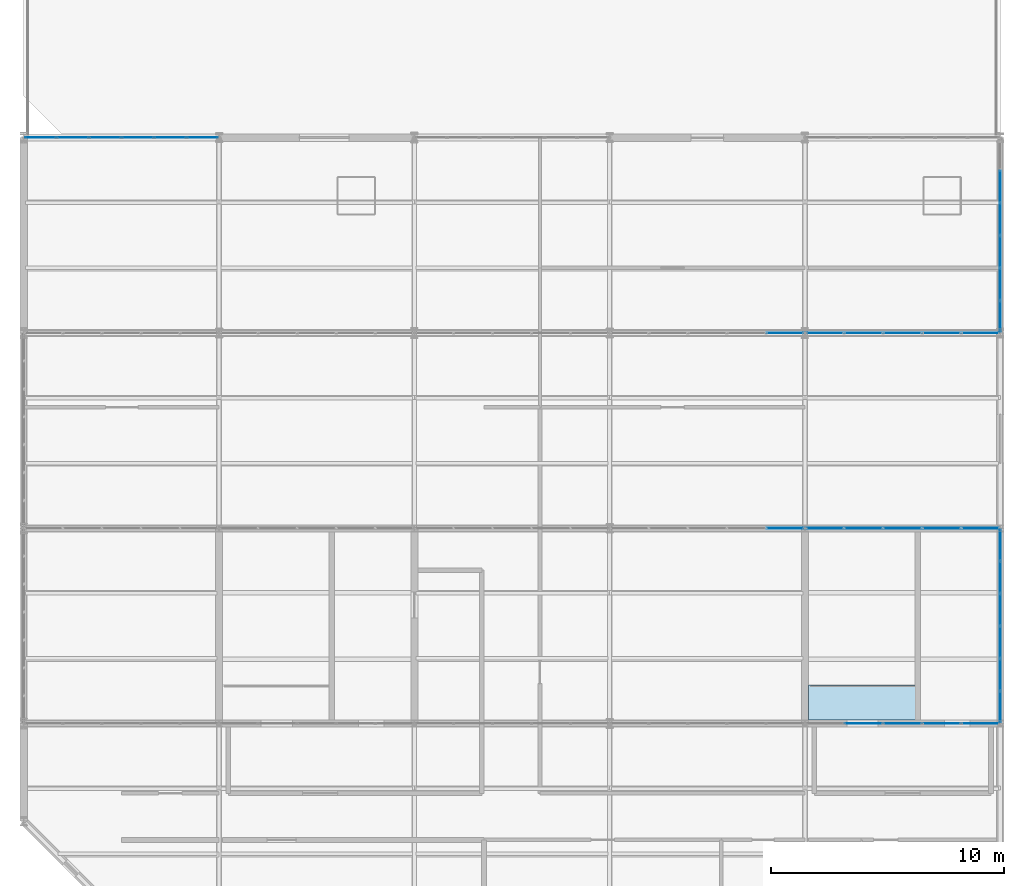
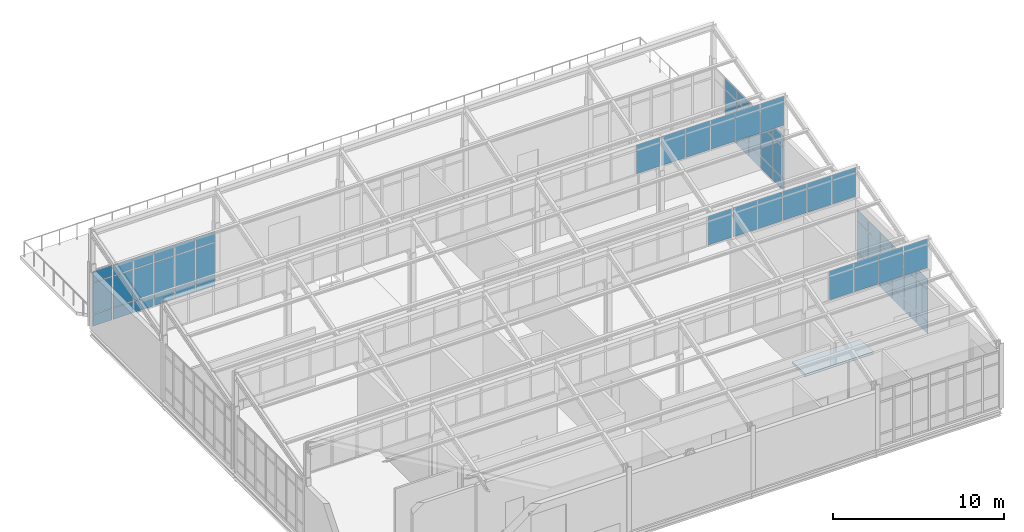
# One storey, part 48 of 53: 67 plates, 1 slab, 8 elements without a shape of their own.
"""IFC4 building model written with IfcOpenShell, lengths in metres."""

import ifcopenshell
import ifcopenshell.guid

model = None  # the IFC model being written
_history = None  # IfcOwnerHistory: only IFC2X3 demands one
_inside = {}  # id of a spatial element -> (the spatial element, [elements in it])
_under = {}  # id of a project, library or spatial element -> (it, [spatial elements below it])
_declared = {}  # id of a project -> (the project, [libraries it declares])
_typed = {}  # id of a type object -> (the type object, [elements of that type])
_made_of = {}  # id of a material, layer set ... -> (it, [elements and type objects made of it])


def new_model(schema):
    """Start an empty IFC model of exactly this schema.

    Asked for "IFC4X3", IfcOpenShell would pick the latest addendum, in which some entities
    have other attributes; the version numbers below select the first issue.
    IFC2X3 requires an IfcOwnerHistory on every rooted entity: one is made here for all.
    """
    global model, _history
    if schema == "IFC4X3":
        model = ifcopenshell.file(schema_version=(4, 3, 0, 0))
    else:
        model = ifcopenshell.file(schema=schema)
    _inside.clear()
    _under.clear()
    _declared.clear()
    _typed.clear()
    _made_of.clear()
    _history = None
    if model.schema == "IFC2X3":
        org = make("IfcOrganization", Name="unknown")
        user = make(
            "IfcPersonAndOrganization",
            ThePerson=make("IfcPerson", FamilyName="unknown"),
            TheOrganization=org,
        )
        app = make(
            "IfcApplication",
            ApplicationDeveloper=org,
            Version="unknown",
            ApplicationFullName="unknown",
            ApplicationIdentifier="unknown",
        )
        _history = make(
            "IfcOwnerHistory",
            OwningUser=user,
            OwningApplication=app,
            ChangeAction="ADDED",
            CreationDate=0,
        )
    return model


def make(cls, **values):
    """One entity of the class cls with the attributes given. An attribute that is None is left unset."""
    return model.create_entity(
        cls, **{name: value for name, value in values.items() if value is not None}
    )


def rooted(cls, **values):
    """An entity with a GlobalId (a new one), such as an element, a storey or a relation."""
    return make(cls, GlobalId=ifcopenshell.guid.new(), OwnerHistory=_history, **values)


def si_unit(unit_type, name, prefix=None):
    """IfcSIUnit, for example si_unit("LENGTHUNIT", "METRE", prefix="MILLI")."""
    return make("IfcSIUnit", UnitType=unit_type, Prefix=prefix, Name=name)


def assignment(units):
    """IfcUnitAssignment: the units of a project."""
    return None if units is None else make("IfcUnitAssignment", Units=units)


def point(xyz):
    """IfcCartesianPoint."""
    return None if xyz is None else make("IfcCartesianPoint", Coordinates=xyz)


def direction(xyz):
    """IfcDirection."""
    return None if xyz is None else make("IfcDirection", DirectionRatios=xyz)


def frame(location, z_axis=None, x_axis=None):
    """IfcAxis2Placement3D, a coordinate frame: its origin and axes. An axis left out is left unset."""
    return make(
        "IfcAxis2Placement3D",
        Location=point(location),
        Axis=direction(z_axis),
        RefDirection=direction(x_axis),
    )


def frame_2d(location, x_axis=None):
    """IfcAxis2Placement2D, a coordinate frame in the plane: its origin and x axis."""
    return make(
        "IfcAxis2Placement2D", Location=point(location), RefDirection=direction(x_axis)
    )


def origin():
    """The frame at (0, 0, 0) with its axes left unset."""
    return frame((0.0, 0.0, 0.0))


def origin_2d():
    """The frame at (0, 0) in the plane with its x axis left unset."""
    return frame_2d((0.0, 0.0))


def place(relative_to, where):
    """IfcLocalPlacement: puts the frame where relative to a parent placement (None: the world)."""
    return make(
        "IfcLocalPlacement", PlacementRelTo=relative_to, RelativePlacement=where
    )


def context(
    kind, dimensions, precision=None, world=None, true_north=None, identifier=None
):
    """IfcGeometricRepresentationContext, for example the 3D "Model" context."""
    return make(
        "IfcGeometricRepresentationContext",
        ContextIdentifier=identifier,
        ContextType=kind,
        CoordinateSpaceDimension=dimensions,
        Precision=precision,
        WorldCoordinateSystem=world,
        TrueNorth=true_north,
    )


def subcontext(parent, identifier, kind, view, scale=None):
    """IfcGeometricRepresentationSubContext, for example "Body" below "Model"."""
    return make(
        "IfcGeometricRepresentationSubContext",
        ContextIdentifier=identifier,
        ContextType=kind,
        ParentContext=parent,
        TargetScale=scale,
        TargetView=view,
    )


def project(units=None, contexts=None):
    """IfcProject with its units and contexts."""
    return rooted(
        "IfcProject",
        Name="project",
        RepresentationContexts=contexts,
        UnitsInContext=assignment(units),
    )


def spatial(cls, under=None, at=None, **own):
    """A site, building, storey or space (cls), placed at a placement, below another one or the project."""
    s = rooted(cls, ObjectPlacement=at, **own)
    if under is not None:
        _under.setdefault(under.id(), (under, []))[1].append(s)
    return s


def polyline(points):
    """IfcPolyline through the points."""
    return make("IfcPolyline", Points=[point(p) for p in points])


def profile(cls, at=None, kind="AREA", **sizes):
    """A parametric profile (cls). Its sizes go by their IFC names, for example OverallWidth=200.0."""
    return make(cls, ProfileType=kind, Position=at, **sizes)


def rectangle(**sizes):
    """IfcRectangleProfileDef."""
    return profile("IfcRectangleProfileDef", **sizes)


def outline(outer, holes=None, kind="AREA"):
    """IfcArbitraryClosedProfileDef: a profile drawn as a closed curve; with holes, ...WithVoids."""
    if holes is None:
        return make("IfcArbitraryClosedProfileDef", ProfileType=kind, OuterCurve=outer)
    return make(
        "IfcArbitraryProfileDefWithVoids",
        ProfileType=kind,
        OuterCurve=outer,
        InnerCurves=holes,
    )


def extrude(swept, where, along, depth):
    """IfcExtrudedAreaSolid: the profile swept, set in the frame where, extruded along a direction by depth."""
    return make(
        "IfcExtrudedAreaSolid",
        SweptArea=swept,
        Position=where,
        ExtrudedDirection=direction(along),
        Depth=depth,
    )


def shape(context_of_items, identifier, shape_type, items):
    """IfcShapeRepresentation: the items that make up one representation, for example the "Body"."""
    return make(
        "IfcShapeRepresentation",
        ContextOfItems=context_of_items,
        RepresentationIdentifier=identifier,
        RepresentationType=shape_type,
        Items=items,
    )


def material(Name=None, Category=None):
    """IfcMaterial."""
    return make("IfcMaterial", Name=Name, Category=Category)


def layer(
    of_material, thickness, ventilated=None, Name=None, Category=None, Priority=None
):
    """IfcMaterialLayer: one layer of a wall or slab, of a material (None: an air gap)."""
    return make(
        "IfcMaterialLayer",
        Material=of_material,
        LayerThickness=thickness,
        IsVentilated=ventilated,
        Name=Name,
        Category=Category,
        Priority=Priority,
    )


def layer_set(layers, Name=None):
    """IfcMaterialLayerSet."""
    return make("IfcMaterialLayerSet", MaterialLayers=layers, LayerSetName=Name)


def made_of(thing, what):
    """Note that an element or type object is made of a material, layer set ...; save() writes the relation."""
    if what is not None:
        _made_of.setdefault(what.id(), (what, []))[1].append(thing)
    return thing


def type_object(cls, material=None, **own):
    """A type object (cls), such as IfcWallType, which elements share."""
    return made_of(rooted(cls, **own), material)


def element(
    cls,
    number,
    at=None,
    inside=None,
    cuts=None,
    type_object=None,
    material=None,
    context=None,
    identifier="Body",
    shape_type=None,
    held_by="IfcProductDefinitionShape",
    body=None,
    shapes=None,
    **own,
):
    """One element of the class cls, such as IfcWall. Its Tag is "e" and its number.

    at: its placement. inside: the storey or other place that contains it. cuts: it is an
    opening in that element (IfcRelVoidsElement). A single representation is given by context,
    identifier, shape_type and body (its items); several are given by shapes. held_by: the class
    of the entity that holds the representations. save() writes the other relations.
    """
    e = rooted(cls, Tag="e%d" % number, ObjectPlacement=at, **own)
    if body is not None:
        shapes = [shape(context, identifier, shape_type, body)]
    if shapes is not None:
        e.Representation = make(held_by, Representations=shapes)
    if inside is not None:
        _inside.setdefault(inside.id(), (inside, []))[1].append(e)
    if cuts is not None:
        rooted(
            "IfcRelVoidsElement", RelatingBuildingElement=cuts, RelatedOpeningElement=e
        )
    if type_object is not None:
        _typed.setdefault(type_object.id(), (type_object, []))[1].append(e)
    return made_of(e, material)


def aggregate(whole, parts):
    """IfcRelAggregates: a whole, such as a stair, and the parts it consists of."""
    return rooted("IfcRelAggregates", RelatingObject=whole, RelatedObjects=parts)


def save(model, path):
    """Write the relations noted so far, then the file.

    IfcRelAggregates (storeys below a building ...), IfcRelContainedInSpatialStructure (elements
    in a storey), IfcRelDefinesByType, IfcRelAssociatesMaterial and IfcRelDeclares: one each for
    every whole, place, type object, material and project.
    """
    for whole, parts in _under.values():
        aggregate(whole, parts)
    for where, things in _inside.values():
        rooted(
            "IfcRelContainedInSpatialStructure",
            RelatedElements=things,
            RelatingStructure=where,
        )
    for kind, things in _typed.values():
        rooted("IfcRelDefinesByType", RelatedObjects=things, RelatingType=kind)
    for what, things in _made_of.values():
        rooted("IfcRelAssociatesMaterial", RelatedObjects=things, RelatingMaterial=what)
    for by, libraries in _declared.values():
        rooted("IfcRelDeclares", RelatingContext=by, RelatedDefinitions=libraries)
    model.write(path)


model = new_model("IFC4")

# Units and contexts
model_context = context("Model", 3, precision=1e-05, world=origin(), true_north=direction((0.0, 1.0)))
body_context = subcontext(model_context, "Body", "Model", "MODEL_VIEW")
ifc_project = project(units=[si_unit("LENGTHUNIT", "METRE"), si_unit("AREAUNIT", "SQUARE_METRE"), si_unit("VOLUMEUNIT", "CUBIC_METRE"), si_unit("PLANEANGLEUNIT", "RADIAN"), si_unit("MASSUNIT", "GRAM", prefix="KILO")], contexts=[model_context])

# Site, building, storey
site_placement = place(None, origin())
site = spatial("IfcSite", under=ifc_project, at=site_placement, CompositionType="ELEMENT")
building_placement = place(site_placement, origin())
building = spatial("IfcBuilding", under=site, at=building_placement, Name="Qalvenar Corner Mobility Hub", CompositionType="ELEMENT")
storey_placement = place(building_placement, frame((0.0, 0.0, 26.39990234375)))
storey = spatial("IfcBuildingStorey", under=building, at=storey_placement, Name="L06", CompositionType="ELEMENT", Elevation=26.39990234375)

# Curtain wall, plates
ifc_material_1 = material(Name="Anodised Aluminium and Low-E Glazing", Category="aluminium")
ifc_layer_1 = layer(ifc_material_1, 0.14990234375)
ifc_layer_set_1 = layer_set([ifc_layer_1], Name="Anodised Aluminium and Low-E Glazing")
curtain_wall_type_1 = type_object("IfcCurtainWallType", Name="CW-CIV-84X40", PredefinedType="NOTDEFINED", material=ifc_layer_set_1)
curtain_wall_1_placement = place(storey_placement, origin())
curtain_wall_1 = element("IfcCurtainWall", 1, at=curtain_wall_1_placement, inside=storey, type_object=curtain_wall_type_1, Name="Glazed Curtain Wall CW-V3-L06-N0", PredefinedType="NOTDEFINED")
ifc_material_2 = material(Name="Solar-Control Low-E Double Glazing", Category="glass")
ifc_layer_2 = layer(ifc_material_2, 0.028076171875)
ifc_layer_set_2 = layer_set([ifc_layer_2], Name="Solar-Control Low-E Double Glazing")
plate_type = type_object("IfcPlateType", Name="PLT-CWP-GLZ1", PredefinedType="CURTAIN_PANEL", material=ifc_layer_set_2)
plate_1_placement = place(storey_placement, frame((7.68505859375, 33.60009765625, 0.05517578125), z_axis=(0.0, 0.0, 1.0), x_axis=(-1.0, 0.0, 0.0)))
plate_1 = element("IfcPlate", 2, at=plate_1_placement, type_object=plate_type, Name="CW-05 panel 1.1", PredefinedType="CURTAIN_PANEL", context=body_context, shape_type="SweptSolid", body=[
    extrude(rectangle(XDim=1.31005859375, YDim=0.028076171875, at=origin_2d()), origin(), (0.0, 0.0, 1.0), 0.8173828125),
])
plate_2_placement = place(storey_placement, frame((7.68505859375, 33.60009765625, 0.927490234375), z_axis=(0.0, 0.0, 1.0), x_axis=(-1.0, 0.0, 0.0)))
plate_2 = element("IfcPlate", 3, at=plate_2_placement, type_object=plate_type, Name="CW-05 panel 1.2", PredefinedType="CURTAIN_PANEL", context=body_context, shape_type="SweptSolid", body=[
    extrude(rectangle(XDim=1.31005859375, YDim=0.028076171875, at=origin_2d()), origin(), (0.0, 0.0, 1.0), 2.205078125),
])
plate_3_placement = place(storey_placement, frame((7.68505859375, 33.60009765625, 3.1875), z_axis=(0.0, 0.0, 1.0), x_axis=(-1.0, 0.0, 0.0)))
plate_3 = element("IfcPlate", 4, at=plate_3_placement, type_object=plate_type, Name="CW-05 panel 1.3", PredefinedType="CURTAIN_PANEL", context=body_context, shape_type="SweptSolid", body=[
    extrude(rectangle(XDim=1.31005859375, YDim=0.028076171875, at=origin_2d()), origin(), (0.0, 0.0, 1.0), 0.767578125),
])
plate_4_placement = place(storey_placement, frame((6.300048828125, 33.60009765625, 0.05517578125), z_axis=(0.0, 0.0, 1.0), x_axis=(-1.0, 0.0, 0.0)))
plate_4 = element("IfcPlate", 5, at=plate_4_placement, type_object=plate_type, Name="CW-05 panel 2.1", PredefinedType="CURTAIN_PANEL", context=body_context, shape_type="SweptSolid", body=[
    extrude(rectangle(XDim=1.340087890625, YDim=0.028076171875, at=origin_2d()), origin(), (0.0, 0.0, 1.0), 0.8173828125),
])
plate_5_placement = place(storey_placement, frame((6.300048828125, 33.60009765625, 0.927490234375), z_axis=(0.0, 0.0, 1.0), x_axis=(-1.0, 0.0, 0.0)))
plate_5 = element("IfcPlate", 6, at=plate_5_placement, type_object=plate_type, Name="CW-05 panel 2.2", PredefinedType="CURTAIN_PANEL", context=body_context, shape_type="SweptSolid", body=[
    extrude(rectangle(XDim=1.340087890625, YDim=0.028076171875, at=origin_2d()), origin(), (0.0, 0.0, 1.0), 2.205078125),
])
plate_6_placement = place(storey_placement, frame((6.300048828125, 33.60009765625, 3.1875), z_axis=(0.0, 0.0, 1.0), x_axis=(-1.0, 0.0, 0.0)))
plate_6 = element("IfcPlate", 7, at=plate_6_placement, type_object=plate_type, Name="CW-05 panel 2.3", PredefinedType="CURTAIN_PANEL", context=body_context, shape_type="SweptSolid", body=[
    extrude(rectangle(XDim=1.340087890625, YDim=0.028076171875, at=origin_2d()), origin(), (0.0, 0.0, 1.0), 0.767578125),
])
plate_7_placement = place(storey_placement, frame((4.89990234375, 33.60009765625, 0.05517578125), z_axis=(0.0, 0.0, 1.0), x_axis=(-1.0, 0.0, 0.0)))
plate_7 = element("IfcPlate", 8, at=plate_7_placement, type_object=plate_type, Name="CW-05 panel 3.1", PredefinedType="CURTAIN_PANEL", context=body_context, shape_type="SweptSolid", body=[
    extrude(rectangle(XDim=1.340087890625, YDim=0.028076171875, at=origin_2d()), origin(), (0.0, 0.0, 1.0), 0.8173828125),
])
plate_8_placement = place(storey_placement, frame((4.89990234375, 33.60009765625, 0.927490234375), z_axis=(0.0, 0.0, 1.0), x_axis=(-1.0, 0.0, 0.0)))
plate_8 = element("IfcPlate", 9, at=plate_8_placement, type_object=plate_type, Name="CW-05 panel 3.2", PredefinedType="CURTAIN_PANEL", context=body_context, shape_type="SweptSolid", body=[
    extrude(rectangle(XDim=1.340087890625, YDim=0.028076171875, at=origin_2d()), origin(), (0.0, 0.0, 1.0), 2.205078125),
])
plate_9_placement = place(storey_placement, frame((4.89990234375, 33.60009765625, 3.1875), z_axis=(0.0, 0.0, 1.0), x_axis=(-1.0, 0.0, 0.0)))
plate_9 = element("IfcPlate", 10, at=plate_9_placement, type_object=plate_type, Name="CW-05 panel 3.3", PredefinedType="CURTAIN_PANEL", context=body_context, shape_type="SweptSolid", body=[
    extrude(rectangle(XDim=1.340087890625, YDim=0.028076171875, at=origin_2d()), origin(), (0.0, 0.0, 1.0), 0.767578125),
])
plate_10_placement = place(storey_placement, frame((3.5, 33.60009765625, 0.05517578125), z_axis=(0.0, 0.0, 1.0), x_axis=(-1.0, 0.0, 0.0)))
plate_10 = element("IfcPlate", 11, at=plate_10_placement, type_object=plate_type, Name="CW-05 panel 4.1", PredefinedType="CURTAIN_PANEL", context=body_context, shape_type="SweptSolid", body=[
    extrude(rectangle(XDim=1.340087890625, YDim=0.028076171875, at=origin_2d()), origin(), (0.0, 0.0, 1.0), 0.8173828125),
])
plate_11_placement = place(storey_placement, frame((3.5, 33.60009765625, 0.927490234375), z_axis=(0.0, 0.0, 1.0), x_axis=(-1.0, 0.0, 0.0)))
plate_11 = element("IfcPlate", 12, at=plate_11_placement, type_object=plate_type, Name="CW-05 panel 4.2", PredefinedType="CURTAIN_PANEL", context=body_context, shape_type="SweptSolid", body=[
    extrude(rectangle(XDim=1.340087890625, YDim=0.028076171875, at=origin_2d()), origin(), (0.0, 0.0, 1.0), 2.205078125),
])
plate_12_placement = place(storey_placement, frame((3.5, 33.60009765625, 3.1875), z_axis=(0.0, 0.0, 1.0), x_axis=(-1.0, 0.0, 0.0)))
plate_12 = element("IfcPlate", 13, at=plate_12_placement, type_object=plate_type, Name="CW-05 panel 4.3", PredefinedType="CURTAIN_PANEL", context=body_context, shape_type="SweptSolid", body=[
    extrude(rectangle(XDim=1.340087890625, YDim=0.028076171875, at=origin_2d()), origin(), (0.0, 0.0, 1.0), 0.767578125),
])
plate_13_placement = place(storey_placement, frame((2.10009765625, 33.60009765625, 0.05517578125), z_axis=(0.0, 0.0, 1.0), x_axis=(-1.0, 0.0, 0.0)))
plate_13 = element("IfcPlate", 14, at=plate_13_placement, type_object=plate_type, Name="CW-05 panel 5.1", PredefinedType="CURTAIN_PANEL", context=body_context, shape_type="SweptSolid", body=[
    extrude(rectangle(XDim=1.340087890625, YDim=0.028076171875, at=origin_2d()), origin(), (0.0, 0.0, 1.0), 0.8173828125),
])
plate_14_placement = place(storey_placement, frame((2.10009765625, 33.60009765625, 0.927490234375), z_axis=(0.0, 0.0, 1.0), x_axis=(-1.0, 0.0, 0.0)))
plate_14 = element("IfcPlate", 15, at=plate_14_placement, type_object=plate_type, Name="CW-05 panel 5.2", PredefinedType="CURTAIN_PANEL", context=body_context, shape_type="SweptSolid", body=[
    extrude(rectangle(XDim=1.340087890625, YDim=0.028076171875, at=origin_2d()), origin(), (0.0, 0.0, 1.0), 2.205078125),
])
plate_15_placement = place(storey_placement, frame((2.10009765625, 33.60009765625, 3.1875), z_axis=(0.0, 0.0, 1.0), x_axis=(-1.0, 0.0, 0.0)))
plate_15 = element("IfcPlate", 16, at=plate_15_placement, type_object=plate_type, Name="CW-05 panel 5.3", PredefinedType="CURTAIN_PANEL", context=body_context, shape_type="SweptSolid", body=[
    extrude(rectangle(XDim=1.340087890625, YDim=0.028076171875, at=origin_2d()), origin(), (0.0, 0.0, 1.0), 0.767578125),
])
plate_16_placement = place(storey_placement, frame((0.715087890625, 33.60009765625, 0.05517578125), z_axis=(0.0, 0.0, 1.0), x_axis=(-1.0, 0.0, 0.0)))
plate_16 = element("IfcPlate", 17, at=plate_16_placement, type_object=plate_type, Name="CW-05 panel 6.1", PredefinedType="CURTAIN_PANEL", context=body_context, shape_type="SweptSolid", body=[
    extrude(rectangle(XDim=1.31005859375, YDim=0.028076171875, at=origin_2d()), origin(), (0.0, 0.0, 1.0), 0.8173828125),
])
plate_17_placement = place(storey_placement, frame((0.715087890625, 33.60009765625, 0.927490234375), z_axis=(0.0, 0.0, 1.0), x_axis=(-1.0, 0.0, 0.0)))
plate_17 = element("IfcPlate", 18, at=plate_17_placement, type_object=plate_type, Name="CW-05 panel 6.2", PredefinedType="CURTAIN_PANEL", context=body_context, shape_type="SweptSolid", body=[
    extrude(rectangle(XDim=1.31005859375, YDim=0.028076171875, at=origin_2d()), origin(), (0.0, 0.0, 1.0), 2.205078125),
])
plate_18_placement = place(storey_placement, frame((0.715087890625, 33.60009765625, 3.1875), z_axis=(0.0, 0.0, 1.0), x_axis=(-1.0, 0.0, 0.0)))
plate_18 = element("IfcPlate", 19, at=plate_18_placement, type_object=plate_type, Name="CW-05 panel 6.3", PredefinedType="CURTAIN_PANEL", context=body_context, shape_type="SweptSolid", body=[
    extrude(rectangle(XDim=1.31005859375, YDim=0.028076171875, at=origin_2d()), origin(), (0.0, 0.0, 1.0), 0.767578125),
])
aggregate(curtain_wall_1, [plate_1, plate_2, plate_3, plate_4, plate_5, plate_6, plate_7, plate_8, plate_9, plate_10, plate_11, plate_12, plate_13, plate_14, plate_15, plate_16, plate_17, plate_18])

ifc_layer_3 = layer(ifc_material_1, 0.14990234375)
ifc_layer_set_3 = layer_set([ifc_layer_3], Name="Anodised Aluminium and Low-E Glazing")
curtain_wall_type_2 = type_object("IfcCurtainWallType", Name="CW-SPT-84X44", PredefinedType="NOTDEFINED", material=ifc_layer_set_3)
curtain_wall_2_placement = place(storey_placement, origin())
curtain_wall_2 = element("IfcCurtainWall", 20, at=curtain_wall_2_placement, inside=storey, type_object=curtain_wall_type_2, Name="Glazed Curtain Wall CW-V3-L06-E1", PredefinedType="NOTDEFINED")
plate_19_placement = place(storey_placement, frame((42.0, 9.114990234375, 0.05517578125), z_axis=(0.0, 0.0, 1.0), x_axis=(0.0, 1.0, 0.0)))
plate_19 = element("IfcPlate", 21, at=plate_19_placement, type_object=plate_type, Name="CW-06 panel 1.1", PredefinedType="CURTAIN_PANEL", context=body_context, shape_type="SweptSolid", body=[
    extrude(rectangle(XDim=1.31005859375, YDim=0.028076171875, at=origin_2d()), origin(), (0.0, 0.0, 1.0), 0.8173828125),
])
plate_20_placement = place(storey_placement, frame((42.0, 9.114990234375, 0.927490234375), z_axis=(0.0, 0.0, 1.0), x_axis=(0.0, 1.0, 0.0)))
plate_20 = element("IfcPlate", 22, at=plate_20_placement, type_object=plate_type, Name="CW-06 panel 1.2", PredefinedType="CURTAIN_PANEL", context=body_context, shape_type="SweptSolid", body=[
    extrude(rectangle(XDim=1.31005859375, YDim=0.028076171875, at=origin_2d()), origin(), (0.0, 0.0, 1.0), 2.205078125),
])
plate_21_placement = place(storey_placement, frame((42.0, 9.114990234375, 3.1875), z_axis=(0.0, 0.0, 1.0), x_axis=(0.0, 1.0, 0.0)))
plate_21 = element("IfcPlate", 23, at=plate_21_placement, type_object=plate_type, Name="CW-06 panel 1.3", PredefinedType="CURTAIN_PANEL", context=body_context, shape_type="SweptSolid", body=[
    extrude(rectangle(XDim=1.31005859375, YDim=0.028076171875, at=origin_2d()), origin(), (0.0, 0.0, 1.0), 0.767578125),
])
plate_22_placement = place(storey_placement, frame((42.0, 10.5, 0.05517578125), z_axis=(0.0, 0.0, 1.0), x_axis=(0.0, 1.0, 0.0)))
plate_22 = element("IfcPlate", 24, at=plate_22_placement, type_object=plate_type, Name="CW-06 panel 2.1", PredefinedType="CURTAIN_PANEL", context=body_context, shape_type="SweptSolid", body=[
    extrude(rectangle(XDim=1.340087890625, YDim=0.028076171875, at=origin_2d()), origin(), (0.0, 0.0, 1.0), 0.8173828125),
])
plate_23_placement = place(storey_placement, frame((42.0, 10.5, 0.927490234375), z_axis=(0.0, 0.0, 1.0), x_axis=(0.0, 1.0, 0.0)))
plate_23 = element("IfcPlate", 25, at=plate_23_placement, type_object=plate_type, Name="CW-06 panel 2.2", PredefinedType="CURTAIN_PANEL", context=body_context, shape_type="SweptSolid", body=[
    extrude(rectangle(XDim=1.340087890625, YDim=0.028076171875, at=origin_2d()), origin(), (0.0, 0.0, 1.0), 2.205078125),
])
plate_24_placement = place(storey_placement, frame((42.0, 10.5, 3.1875), z_axis=(0.0, 0.0, 1.0), x_axis=(0.0, 1.0, 0.0)))
plate_24 = element("IfcPlate", 26, at=plate_24_placement, type_object=plate_type, Name="CW-06 panel 2.3", PredefinedType="CURTAIN_PANEL", context=body_context, shape_type="SweptSolid", body=[
    extrude(rectangle(XDim=1.340087890625, YDim=0.028076171875, at=origin_2d()), origin(), (0.0, 0.0, 1.0), 0.767578125),
])
plate_25_placement = place(storey_placement, frame((42.0, 11.89990234375, 0.05517578125), z_axis=(0.0, 0.0, 1.0), x_axis=(0.0, 1.0, 0.0)))
plate_25 = element("IfcPlate", 27, at=plate_25_placement, type_object=plate_type, Name="CW-06 panel 3.1", PredefinedType="CURTAIN_PANEL", context=body_context, shape_type="SweptSolid", body=[
    extrude(rectangle(XDim=1.340087890625, YDim=0.028076171875, at=origin_2d()), origin(), (0.0, 0.0, 1.0), 0.8173828125),
])
plate_26_placement = place(storey_placement, frame((42.0, 11.89990234375, 0.927490234375), z_axis=(0.0, 0.0, 1.0), x_axis=(0.0, 1.0, 0.0)))
plate_26 = element("IfcPlate", 28, at=plate_26_placement, type_object=plate_type, Name="CW-06 panel 3.2", PredefinedType="CURTAIN_PANEL", context=body_context, shape_type="SweptSolid", body=[
    extrude(rectangle(XDim=1.340087890625, YDim=0.028076171875, at=origin_2d()), origin(), (0.0, 0.0, 1.0), 2.205078125),
])
plate_27_placement = place(storey_placement, frame((42.0, 11.89990234375, 3.1875), z_axis=(0.0, 0.0, 1.0), x_axis=(0.0, 1.0, 0.0)))
plate_27 = element("IfcPlate", 29, at=plate_27_placement, type_object=plate_type, Name="CW-06 panel 3.3", PredefinedType="CURTAIN_PANEL", context=body_context, shape_type="SweptSolid", body=[
    extrude(rectangle(XDim=1.340087890625, YDim=0.028076171875, at=origin_2d()), origin(), (0.0, 0.0, 1.0), 0.767578125),
])
plate_28_placement = place(storey_placement, frame((42.0, 13.300048828125, 0.05517578125), z_axis=(0.0, 0.0, 1.0), x_axis=(0.0, 1.0, 0.0)))
plate_28 = element("IfcPlate", 30, at=plate_28_placement, type_object=plate_type, Name="CW-06 panel 4.1", PredefinedType="CURTAIN_PANEL", context=body_context, shape_type="SweptSolid", body=[
    extrude(rectangle(XDim=1.340087890625, YDim=0.028076171875, at=origin_2d()), origin(), (0.0, 0.0, 1.0), 0.8173828125),
])
plate_29_placement = place(storey_placement, frame((42.0, 13.300048828125, 0.927490234375), z_axis=(0.0, 0.0, 1.0), x_axis=(0.0, 1.0, 0.0)))
plate_29 = element("IfcPlate", 31, at=plate_29_placement, type_object=plate_type, Name="CW-06 panel 4.2", PredefinedType="CURTAIN_PANEL", context=body_context, shape_type="SweptSolid", body=[
    extrude(rectangle(XDim=1.340087890625, YDim=0.028076171875, at=origin_2d()), origin(), (0.0, 0.0, 1.0), 2.205078125),
])
plate_30_placement = place(storey_placement, frame((42.0, 13.300048828125, 3.1875), z_axis=(0.0, 0.0, 1.0), x_axis=(0.0, 1.0, 0.0)))
plate_30 = element("IfcPlate", 32, at=plate_30_placement, type_object=plate_type, Name="CW-06 panel 4.3", PredefinedType="CURTAIN_PANEL", context=body_context, shape_type="SweptSolid", body=[
    extrude(rectangle(XDim=1.340087890625, YDim=0.028076171875, at=origin_2d()), origin(), (0.0, 0.0, 1.0), 0.767578125),
])
plate_31_placement = place(storey_placement, frame((42.0, 14.699951171875, 0.05517578125), z_axis=(0.0, 0.0, 1.0), x_axis=(0.0, 1.0, 0.0)))
plate_31 = element("IfcPlate", 33, at=plate_31_placement, type_object=plate_type, Name="CW-06 panel 5.1", PredefinedType="CURTAIN_PANEL", context=body_context, shape_type="SweptSolid", body=[
    extrude(rectangle(XDim=1.340087890625, YDim=0.028076171875, at=origin_2d()), origin(), (0.0, 0.0, 1.0), 0.8173828125),
])
plate_32_placement = place(storey_placement, frame((42.0, 14.699951171875, 0.927490234375), z_axis=(0.0, 0.0, 1.0), x_axis=(0.0, 1.0, 0.0)))
plate_32 = element("IfcPlate", 34, at=plate_32_placement, type_object=plate_type, Name="CW-06 panel 5.2", PredefinedType="CURTAIN_PANEL", context=body_context, shape_type="SweptSolid", body=[
    extrude(rectangle(XDim=1.340087890625, YDim=0.028076171875, at=origin_2d()), origin(), (0.0, 0.0, 1.0), 2.205078125),
])
plate_33_placement = place(storey_placement, frame((42.0, 14.699951171875, 3.1875), z_axis=(0.0, 0.0, 1.0), x_axis=(0.0, 1.0, 0.0)))
plate_33 = element("IfcPlate", 35, at=plate_33_placement, type_object=plate_type, Name="CW-06 panel 5.3", PredefinedType="CURTAIN_PANEL", context=body_context, shape_type="SweptSolid", body=[
    extrude(rectangle(XDim=1.340087890625, YDim=0.028076171875, at=origin_2d()), origin(), (0.0, 0.0, 1.0), 0.767578125),
])
plate_34_placement = place(storey_placement, frame((42.0, 16.0849609375, 0.05517578125), z_axis=(0.0, 0.0, 1.0), x_axis=(0.0, 1.0, 0.0)))
plate_34 = element("IfcPlate", 36, at=plate_34_placement, type_object=plate_type, Name="CW-06 panel 6.1", PredefinedType="CURTAIN_PANEL", context=body_context, shape_type="SweptSolid", body=[
    extrude(rectangle(XDim=1.31005859375, YDim=0.028076171875, at=origin_2d()), origin(), (0.0, 0.0, 1.0), 0.8173828125),
])
plate_35_placement = place(storey_placement, frame((42.0, 16.0849609375, 0.927490234375), z_axis=(0.0, 0.0, 1.0), x_axis=(0.0, 1.0, 0.0)))
plate_35 = element("IfcPlate", 37, at=plate_35_placement, type_object=plate_type, Name="CW-06 panel 6.2", PredefinedType="CURTAIN_PANEL", context=body_context, shape_type="SweptSolid", body=[
    extrude(rectangle(XDim=1.31005859375, YDim=0.028076171875, at=origin_2d()), origin(), (0.0, 0.0, 1.0), 2.205078125),
])
plate_36_placement = place(storey_placement, frame((42.0, 16.0849609375, 3.1875), z_axis=(0.0, 0.0, 1.0), x_axis=(0.0, 1.0, 0.0)))
plate_36 = element("IfcPlate", 38, at=plate_36_placement, type_object=plate_type, Name="CW-06 panel 6.3", PredefinedType="CURTAIN_PANEL", context=body_context, shape_type="SweptSolid", body=[
    extrude(rectangle(XDim=1.31005859375, YDim=0.028076171875, at=origin_2d()), origin(), (0.0, 0.0, 1.0), 0.767578125),
])
aggregate(curtain_wall_2, [plate_19, plate_20, plate_21, plate_22, plate_23, plate_24, plate_25, plate_26, plate_27, plate_28, plate_29, plate_30, plate_31, plate_32, plate_33, plate_34, plate_35, plate_36])

curtain_wall_3_placement = place(storey_placement, origin())
curtain_wall_3 = element("IfcCurtainWall", 39, at=curtain_wall_3_placement, inside=storey, type_object=curtain_wall_type_2, Name="Glazed Curtain Wall CW-V3-L06-E3", PredefinedType="NOTDEFINED")
plate_37_placement = place(storey_placement, frame((42.0, 25.9150390625, 0.05517578125), z_axis=(0.0, 0.0, 1.0), x_axis=(0.0, 1.0, 0.0)))
plate_37 = element("IfcPlate", 40, at=plate_37_placement, type_object=plate_type, Name="CW-06 panel 1.1", PredefinedType="CURTAIN_PANEL", context=body_context, shape_type="SweptSolid", body=[
    extrude(rectangle(XDim=1.31005859375, YDim=0.028076171875, at=origin_2d()), origin(), (0.0, 0.0, 1.0), 0.8173828125),
])
plate_38_placement = place(storey_placement, frame((42.0, 25.9150390625, 0.927490234375), z_axis=(0.0, 0.0, 1.0), x_axis=(0.0, 1.0, 0.0)))
plate_38 = element("IfcPlate", 41, at=plate_38_placement, type_object=plate_type, Name="CW-06 panel 1.2", PredefinedType="CURTAIN_PANEL", context=body_context, shape_type="SweptSolid", body=[
    extrude(rectangle(XDim=1.31005859375, YDim=0.028076171875, at=origin_2d()), origin(), (0.0, 0.0, 1.0), 2.205078125),
])
plate_39_placement = place(storey_placement, frame((42.0, 25.9150390625, 3.1875), z_axis=(0.0, 0.0, 1.0), x_axis=(0.0, 1.0, 0.0)))
plate_39 = element("IfcPlate", 42, at=plate_39_placement, type_object=plate_type, Name="CW-06 panel 1.3", PredefinedType="CURTAIN_PANEL", context=body_context, shape_type="SweptSolid", body=[
    extrude(rectangle(XDim=1.31005859375, YDim=0.028076171875, at=origin_2d()), origin(), (0.0, 0.0, 1.0), 0.767578125),
])
plate_40_placement = place(storey_placement, frame((42.0, 27.300048828125, 0.05517578125), z_axis=(0.0, 0.0, 1.0), x_axis=(0.0, 1.0, 0.0)))
plate_40 = element("IfcPlate", 43, at=plate_40_placement, type_object=plate_type, Name="CW-06 panel 2.1", PredefinedType="CURTAIN_PANEL", context=body_context, shape_type="SweptSolid", body=[
    extrude(rectangle(XDim=1.340087890625, YDim=0.028076171875, at=origin_2d()), origin(), (0.0, 0.0, 1.0), 0.8173828125),
])
plate_41_placement = place(storey_placement, frame((42.0, 27.300048828125, 0.927490234375), z_axis=(0.0, 0.0, 1.0), x_axis=(0.0, 1.0, 0.0)))
plate_41 = element("IfcPlate", 44, at=plate_41_placement, type_object=plate_type, Name="CW-06 panel 2.2", PredefinedType="CURTAIN_PANEL", context=body_context, shape_type="SweptSolid", body=[
    extrude(rectangle(XDim=1.340087890625, YDim=0.028076171875, at=origin_2d()), origin(), (0.0, 0.0, 1.0), 2.205078125),
])
plate_42_placement = place(storey_placement, frame((42.0, 27.300048828125, 3.1875), z_axis=(0.0, 0.0, 1.0), x_axis=(0.0, 1.0, 0.0)))
plate_42 = element("IfcPlate", 45, at=plate_42_placement, type_object=plate_type, Name="CW-06 panel 2.3", PredefinedType="CURTAIN_PANEL", context=body_context, shape_type="SweptSolid", body=[
    extrude(rectangle(XDim=1.340087890625, YDim=0.028076171875, at=origin_2d()), origin(), (0.0, 0.0, 1.0), 0.767578125),
])
plate_43_placement = place(storey_placement, frame((42.0, 28.699951171875, 0.05517578125), z_axis=(0.0, 0.0, 1.0), x_axis=(0.0, 1.0, 0.0)))
plate_43 = element("IfcPlate", 46, at=plate_43_placement, type_object=plate_type, Name="CW-06 panel 3.1", PredefinedType="CURTAIN_PANEL", context=body_context, shape_type="SweptSolid", body=[
    extrude(rectangle(XDim=1.340087890625, YDim=0.028076171875, at=origin_2d()), origin(), (0.0, 0.0, 1.0), 0.8173828125),
])
plate_44_placement = place(storey_placement, frame((42.0, 28.699951171875, 0.927490234375), z_axis=(0.0, 0.0, 1.0), x_axis=(0.0, 1.0, 0.0)))
plate_44 = element("IfcPlate", 47, at=plate_44_placement, type_object=plate_type, Name="CW-06 panel 3.2", PredefinedType="CURTAIN_PANEL", context=body_context, shape_type="SweptSolid", body=[
    extrude(rectangle(XDim=1.340087890625, YDim=0.028076171875, at=origin_2d()), origin(), (0.0, 0.0, 1.0), 2.205078125),
])
plate_45_placement = place(storey_placement, frame((42.0, 28.699951171875, 3.1875), z_axis=(0.0, 0.0, 1.0), x_axis=(0.0, 1.0, 0.0)))
plate_45 = element("IfcPlate", 48, at=plate_45_placement, type_object=plate_type, Name="CW-06 panel 3.3", PredefinedType="CURTAIN_PANEL", context=body_context, shape_type="SweptSolid", body=[
    extrude(rectangle(XDim=1.340087890625, YDim=0.028076171875, at=origin_2d()), origin(), (0.0, 0.0, 1.0), 0.767578125),
])
plate_46_placement = place(storey_placement, frame((42.0, 30.10009765625, 0.05517578125), z_axis=(0.0, 0.0, 1.0), x_axis=(0.0, 1.0, 0.0)))
plate_46 = element("IfcPlate", 49, at=plate_46_placement, type_object=plate_type, Name="CW-06 panel 4.1", PredefinedType="CURTAIN_PANEL", context=body_context, shape_type="SweptSolid", body=[
    extrude(rectangle(XDim=1.340087890625, YDim=0.028076171875, at=origin_2d()), origin(), (0.0, 0.0, 1.0), 0.8173828125),
])
plate_47_placement = place(storey_placement, frame((42.0, 30.10009765625, 0.927490234375), z_axis=(0.0, 0.0, 1.0), x_axis=(0.0, 1.0, 0.0)))
plate_47 = element("IfcPlate", 50, at=plate_47_placement, type_object=plate_type, Name="CW-06 panel 4.2", PredefinedType="CURTAIN_PANEL", context=body_context, shape_type="SweptSolid", body=[
    extrude(rectangle(XDim=1.340087890625, YDim=0.028076171875, at=origin_2d()), origin(), (0.0, 0.0, 1.0), 2.205078125),
])
plate_48_placement = place(storey_placement, frame((42.0, 30.10009765625, 3.1875), z_axis=(0.0, 0.0, 1.0), x_axis=(0.0, 1.0, 0.0)))
plate_48 = element("IfcPlate", 51, at=plate_48_placement, type_object=plate_type, Name="CW-06 panel 4.3", PredefinedType="CURTAIN_PANEL", context=body_context, shape_type="SweptSolid", body=[
    extrude(rectangle(XDim=1.340087890625, YDim=0.028076171875, at=origin_2d()), origin(), (0.0, 0.0, 1.0), 0.767578125),
])
plate_49_placement = place(storey_placement, frame((42.0, 31.5, 0.05517578125), z_axis=(0.0, 0.0, 1.0), x_axis=(0.0, 1.0, 0.0)))
plate_49 = element("IfcPlate", 52, at=plate_49_placement, type_object=plate_type, Name="CW-06 panel 5.1", PredefinedType="CURTAIN_PANEL", context=body_context, shape_type="SweptSolid", body=[
    extrude(rectangle(XDim=1.340087890625, YDim=0.028076171875, at=origin_2d()), origin(), (0.0, 0.0, 1.0), 0.8173828125),
])
plate_50_placement = place(storey_placement, frame((42.0, 31.5, 0.927490234375), z_axis=(0.0, 0.0, 1.0), x_axis=(0.0, 1.0, 0.0)))
plate_50 = element("IfcPlate", 53, at=plate_50_placement, type_object=plate_type, Name="CW-06 panel 5.2", PredefinedType="CURTAIN_PANEL", context=body_context, shape_type="SweptSolid", body=[
    extrude(rectangle(XDim=1.340087890625, YDim=0.028076171875, at=origin_2d()), origin(), (0.0, 0.0, 1.0), 2.205078125),
])
plate_51_placement = place(storey_placement, frame((42.0, 31.5, 3.1875), z_axis=(0.0, 0.0, 1.0), x_axis=(0.0, 1.0, 0.0)))
plate_51 = element("IfcPlate", 54, at=plate_51_placement, type_object=plate_type, Name="CW-06 panel 5.3", PredefinedType="CURTAIN_PANEL", context=body_context, shape_type="SweptSolid", body=[
    extrude(rectangle(XDim=1.340087890625, YDim=0.028076171875, at=origin_2d()), origin(), (0.0, 0.0, 1.0), 0.767578125),
])
aggregate(curtain_wall_3, [plate_37, plate_38, plate_39, plate_40, plate_41, plate_42, plate_43, plate_44, plate_45, plate_46, plate_47, plate_48, plate_49, plate_50, plate_51])

ifc_layer_4 = layer(ifc_material_1, 0.1201171875)
ifc_layer_set_4 = layer_set([ifc_layer_4], Name="Anodised Aluminium and Low-E Glazing")
curtain_wall_type_3 = type_object("IfcCurtainWallType", Name="CW-CLR-84X24", PredefinedType="NOTDEFINED", material=ifc_layer_set_4)
curtain_wall_4_placement = place(storey_placement, origin())
curtain_wall_4 = element("IfcCurtainWall", 55, at=curtain_wall_4_placement, inside=storey, type_object=curtain_wall_type_3, Name="Glazed Curtain Wall CW-V3-SAW-1-4", PredefinedType="NOTDEFINED")
plate_52_placement = place(storey_placement, frame((41.14501953125, 8.39990234375, 4.85498046875), z_axis=(0.0, 0.0, 1.0), x_axis=(-1.0, 0.0, 0.0)))
plate_52 = element("IfcPlate", 56, at=plate_52_placement, type_object=plate_type, Name="CW-12 panel 1.1", PredefinedType="CURTAIN_PANEL", context=body_context, shape_type="SweptSolid", body=[
    extrude(rectangle(XDim=1.590087890625, YDim=0.028076171875, at=origin_2d()), origin(), (0.0, 0.0, 1.0), 2.090087890625),
])
plate_53_placement = place(storey_placement, frame((39.47998046875, 8.39990234375, 4.85498046875), z_axis=(0.0, 0.0, 1.0), x_axis=(-1.0, 0.0, 0.0)))
plate_53 = element("IfcPlate", 57, at=plate_53_placement, type_object=plate_type, Name="CW-12 panel 2.1", PredefinedType="CURTAIN_PANEL", context=body_context, shape_type="SweptSolid", body=[
    extrude(rectangle(XDim=1.6201171875, YDim=0.028076171875, at=origin_2d()), origin(), (0.0, 0.0, 1.0), 2.090087890625),
])
plate_54_placement = place(storey_placement, frame((37.800048828125, 8.39990234375, 4.85498046875), z_axis=(0.0, 0.0, 1.0), x_axis=(-1.0, 0.0, 0.0)))
plate_54 = element("IfcPlate", 58, at=plate_54_placement, type_object=plate_type, Name="CW-12 panel 3.1", PredefinedType="CURTAIN_PANEL", context=body_context, shape_type="SweptSolid", body=[
    extrude(rectangle(XDim=1.6201171875, YDim=0.028076171875, at=origin_2d()), origin(), (0.0, 0.0, 1.0), 2.090087890625),
])
plate_55_placement = place(storey_placement, frame((36.1201171875, 8.39990234375, 4.85498046875), z_axis=(0.0, 0.0, 1.0), x_axis=(-1.0, 0.0, 0.0)))
plate_55 = element("IfcPlate", 59, at=plate_55_placement, type_object=plate_type, Name="CW-12 panel 4.1", PredefinedType="CURTAIN_PANEL", context=body_context, shape_type="SweptSolid", body=[
    extrude(rectangle(XDim=1.6201171875, YDim=0.028076171875, at=origin_2d()), origin(), (0.0, 0.0, 1.0), 2.090087890625),
])
aggregate(curtain_wall_4, [plate_52, plate_53, plate_54, plate_55])

# Curtain wall, plate
curtain_wall_5_placement = place(storey_placement, origin())
curtain_wall_5 = element("IfcCurtainWall", 60, at=curtain_wall_5_placement, inside=storey, type_object=curtain_wall_type_3, Name="Glazed Curtain Wall CW-V3-SAW-2-3", PredefinedType="NOTDEFINED")
plate_56_placement = place(storey_placement, frame((32.7451171875, 16.800048828125, 4.85498046875), z_axis=(0.0, 0.0, 1.0), x_axis=(-1.0, 0.0, 0.0)))
plate_56 = element("IfcPlate", 61, at=plate_56_placement, type_object=plate_type, Name="CW-12 panel 1.1", PredefinedType="CURTAIN_PANEL", context=body_context, shape_type="SweptSolid", body=[
    extrude(rectangle(XDim=1.590087890625, YDim=0.028076171875, at=origin_2d()), origin(), (0.0, 0.0, 1.0), 2.090087890625),
])
aggregate(curtain_wall_5, [plate_56])

# Curtain wall, plates
curtain_wall_6_placement = place(storey_placement, origin())
curtain_wall_6 = element("IfcCurtainWall", 62, at=curtain_wall_6_placement, inside=storey, type_object=curtain_wall_type_3, Name="Glazed Curtain Wall CW-V3-SAW-2-4", PredefinedType="NOTDEFINED")
plate_57_placement = place(storey_placement, frame((41.14501953125, 16.800048828125, 4.85498046875), z_axis=(0.0, 0.0, 1.0), x_axis=(-1.0, 0.0, 0.0)))
plate_57 = element("IfcPlate", 63, at=plate_57_placement, type_object=plate_type, Name="CW-12 panel 1.1", PredefinedType="CURTAIN_PANEL", context=body_context, shape_type="SweptSolid", body=[
    extrude(rectangle(XDim=1.590087890625, YDim=0.028076171875, at=origin_2d()), origin(), (0.0, 0.0, 1.0), 2.090087890625),
])
plate_58_placement = place(storey_placement, frame((39.47998046875, 16.800048828125, 4.85498046875), z_axis=(0.0, 0.0, 1.0), x_axis=(-1.0, 0.0, 0.0)))
plate_58 = element("IfcPlate", 64, at=plate_58_placement, type_object=plate_type, Name="CW-12 panel 2.1", PredefinedType="CURTAIN_PANEL", context=body_context, shape_type="SweptSolid", body=[
    extrude(rectangle(XDim=1.6201171875, YDim=0.028076171875, at=origin_2d()), origin(), (0.0, 0.0, 1.0), 2.090087890625),
])
plate_59_placement = place(storey_placement, frame((37.800048828125, 16.800048828125, 4.85498046875), z_axis=(0.0, 0.0, 1.0), x_axis=(-1.0, 0.0, 0.0)))
plate_59 = element("IfcPlate", 65, at=plate_59_placement, type_object=plate_type, Name="CW-12 panel 3.1", PredefinedType="CURTAIN_PANEL", context=body_context, shape_type="SweptSolid", body=[
    extrude(rectangle(XDim=1.6201171875, YDim=0.028076171875, at=origin_2d()), origin(), (0.0, 0.0, 1.0), 2.090087890625),
])
plate_60_placement = place(storey_placement, frame((36.1201171875, 16.800048828125, 4.85498046875), z_axis=(0.0, 0.0, 1.0), x_axis=(-1.0, 0.0, 0.0)))
plate_60 = element("IfcPlate", 66, at=plate_60_placement, type_object=plate_type, Name="CW-12 panel 4.1", PredefinedType="CURTAIN_PANEL", context=body_context, shape_type="SweptSolid", body=[
    extrude(rectangle(XDim=1.6201171875, YDim=0.028076171875, at=origin_2d()), origin(), (0.0, 0.0, 1.0), 2.090087890625),
])
plate_61_placement = place(storey_placement, frame((34.455078125, 16.800048828125, 4.85498046875), z_axis=(0.0, 0.0, 1.0), x_axis=(-1.0, 0.0, 0.0)))
plate_61 = element("IfcPlate", 67, at=plate_61_placement, type_object=plate_type, Name="CW-12 panel 5.1", PredefinedType="CURTAIN_PANEL", context=body_context, shape_type="SweptSolid", body=[
    extrude(rectangle(XDim=1.590087890625, YDim=0.028076171875, at=origin_2d()), origin(), (0.0, 0.0, 1.0), 2.090087890625),
])
aggregate(curtain_wall_6, [plate_57, plate_58, plate_59, plate_60, plate_61])

# Curtain wall, plate
curtain_wall_7_placement = place(storey_placement, origin())
curtain_wall_7 = element("IfcCurtainWall", 68, at=curtain_wall_7_placement, inside=storey, type_object=curtain_wall_type_3, Name="Glazed Curtain Wall CW-V3-SAW-3-3", PredefinedType="NOTDEFINED")
plate_62_placement = place(storey_placement, frame((32.7451171875, 25.199951171875, 4.85498046875), z_axis=(0.0, 0.0, 1.0), x_axis=(-1.0, 0.0, 0.0)))
plate_62 = element("IfcPlate", 69, at=plate_62_placement, type_object=plate_type, Name="CW-12 panel 1.1", PredefinedType="CURTAIN_PANEL", context=body_context, shape_type="SweptSolid", body=[
    extrude(rectangle(XDim=1.590087890625, YDim=0.028076171875, at=origin_2d()), origin(), (0.0, 0.0, 1.0), 2.090087890625),
])
aggregate(curtain_wall_7, [plate_62])

# Curtain wall, plates
curtain_wall_8_placement = place(storey_placement, origin())
curtain_wall_8 = element("IfcCurtainWall", 70, at=curtain_wall_8_placement, inside=storey, type_object=curtain_wall_type_3, Name="Glazed Curtain Wall CW-V3-SAW-3-4", PredefinedType="NOTDEFINED")
plate_63_placement = place(storey_placement, frame((41.14501953125, 25.199951171875, 4.85498046875), z_axis=(0.0, 0.0, 1.0), x_axis=(-1.0, 0.0, 0.0)))
plate_63 = element("IfcPlate", 71, at=plate_63_placement, type_object=plate_type, Name="CW-12 panel 1.1", PredefinedType="CURTAIN_PANEL", context=body_context, shape_type="SweptSolid", body=[
    extrude(rectangle(XDim=1.590087890625, YDim=0.028076171875, at=origin_2d()), origin(), (0.0, 0.0, 1.0), 2.090087890625),
])
plate_64_placement = place(storey_placement, frame((39.47998046875, 25.199951171875, 4.85498046875), z_axis=(0.0, 0.0, 1.0), x_axis=(-1.0, 0.0, 0.0)))
plate_64 = element("IfcPlate", 72, at=plate_64_placement, type_object=plate_type, Name="CW-12 panel 2.1", PredefinedType="CURTAIN_PANEL", context=body_context, shape_type="SweptSolid", body=[
    extrude(rectangle(XDim=1.6201171875, YDim=0.028076171875, at=origin_2d()), origin(), (0.0, 0.0, 1.0), 2.090087890625),
])
plate_65_placement = place(storey_placement, frame((37.800048828125, 25.199951171875, 4.85498046875), z_axis=(0.0, 0.0, 1.0), x_axis=(-1.0, 0.0, 0.0)))
plate_65 = element("IfcPlate", 73, at=plate_65_placement, type_object=plate_type, Name="CW-12 panel 3.1", PredefinedType="CURTAIN_PANEL", context=body_context, shape_type="SweptSolid", body=[
    extrude(rectangle(XDim=1.6201171875, YDim=0.028076171875, at=origin_2d()), origin(), (0.0, 0.0, 1.0), 2.090087890625),
])
plate_66_placement = place(storey_placement, frame((36.1201171875, 25.199951171875, 4.85498046875), z_axis=(0.0, 0.0, 1.0), x_axis=(-1.0, 0.0, 0.0)))
plate_66 = element("IfcPlate", 74, at=plate_66_placement, type_object=plate_type, Name="CW-12 panel 4.1", PredefinedType="CURTAIN_PANEL", context=body_context, shape_type="SweptSolid", body=[
    extrude(rectangle(XDim=1.6201171875, YDim=0.028076171875, at=origin_2d()), origin(), (0.0, 0.0, 1.0), 2.090087890625),
])
plate_67_placement = place(storey_placement, frame((34.455078125, 25.199951171875, 4.85498046875), z_axis=(0.0, 0.0, 1.0), x_axis=(-1.0, 0.0, 0.0)))
plate_67 = element("IfcPlate", 75, at=plate_67_placement, type_object=plate_type, Name="CW-12 panel 5.1", PredefinedType="CURTAIN_PANEL", context=body_context, shape_type="SweptSolid", body=[
    extrude(rectangle(XDim=1.590087890625, YDim=0.028076171875, at=origin_2d()), origin(), (0.0, 0.0, 1.0), 2.090087890625),
])
aggregate(curtain_wall_8, [plate_63, plate_64, plate_65, plate_66, plate_67])

# Slab
ifc_material_3 = material(Name="Concrete C35/45", Category="concrete")
ifc_layer_5 = layer(ifc_material_3, 0.175048828125)
ifc_layer_set_5 = layer_set([ifc_layer_5], Name="Concrete C35/45")
slab_type = type_object("IfcSlabType", Name="SLB-LND200", PredefinedType="LANDING", material=ifc_layer_set_5)
slab_placement = place(storey_placement, frame((0.0, 0.0, -0.1748046875)))
element("IfcSlab", 76, at=slab_placement, inside=storey, type_object=slab_type, Name="Core Stair Arrival Landing C2-L06", PredefinedType="LANDING", context=body_context, shape_type="SweptSolid", body=[
    extrude(outline(polyline([(33.75, 8.550048828125), (38.3701171875, 8.550048828125), (38.3701171875, 10.050048828125), (33.75, 10.050048828125), (33.75, 8.550048828125)])), origin(), (0.0, 0.0, 1.0), 0.1748046875),
])

save(model, "model.ifc")
